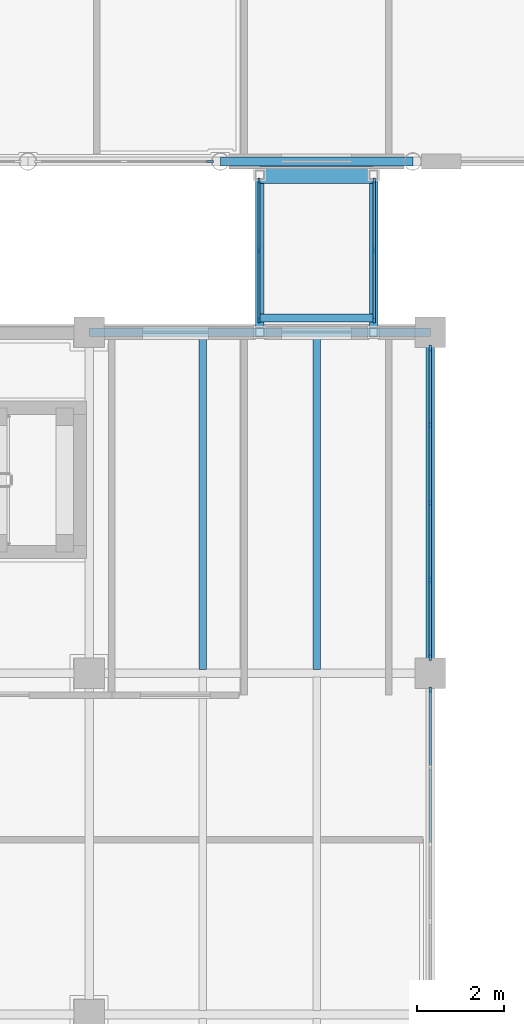
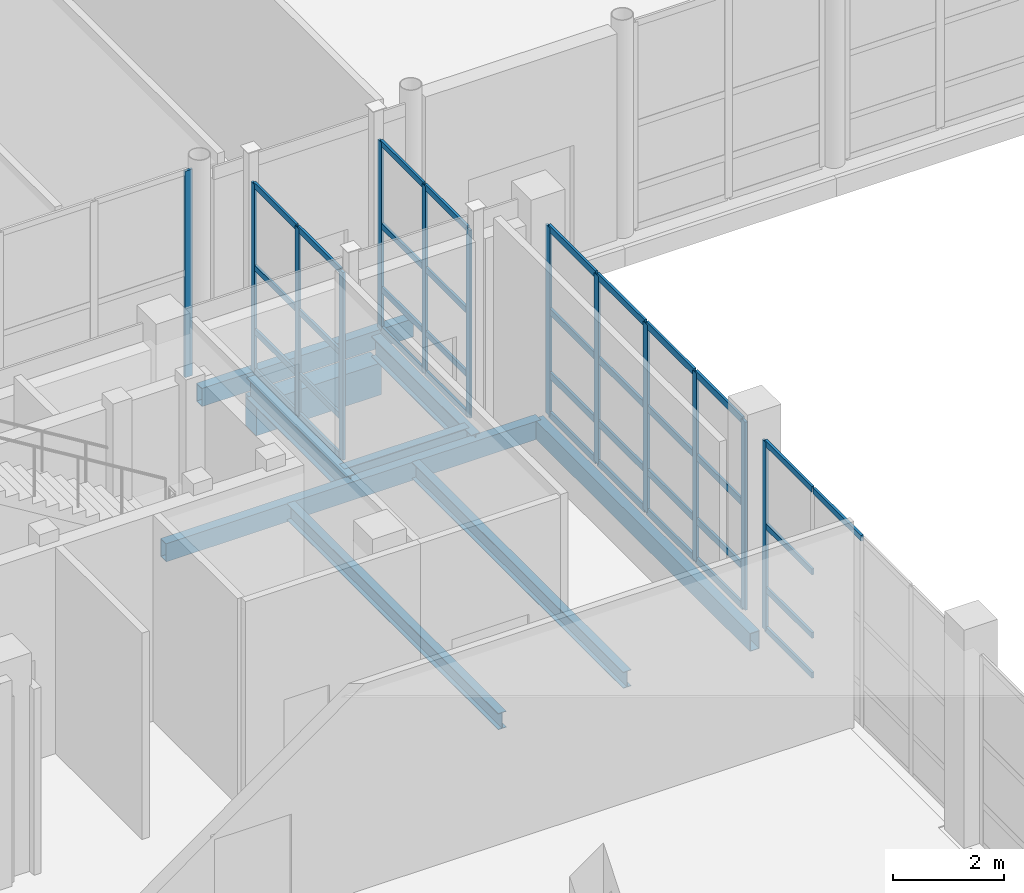
# One storey, part 39 of 131: 50 members, 9 beams, 5 elements without a shape of their own.
"""IFC4 building model written with IfcOpenShell, lengths in metres."""

from ifc_helpers import new_model, si_unit, direction, frame, origin, origin_2d, place, context, subcontext, project, spatial, rectangle, hollow_rectangle, i_section, extrude, material, layer, layer_set, material_profile, profile_set, type_object, element, aggregate, save


model = new_model("IFC4")

# Units and contexts
model_context = context("Model", 3, precision=1e-05, world=origin(), true_north=direction((0.0, 1.0)))
body_context = subcontext(model_context, "Body", "Model", "MODEL_VIEW")
ifc_project = project(units=[si_unit("LENGTHUNIT", "METRE"), si_unit("AREAUNIT", "SQUARE_METRE"), si_unit("VOLUMEUNIT", "CUBIC_METRE"), si_unit("PLANEANGLEUNIT", "RADIAN"), si_unit("MASSUNIT", "GRAM", prefix="KILO")], contexts=[model_context])

# Site, building, storey
site_placement = place(None, origin())
site = spatial("IfcSite", under=ifc_project, at=site_placement, CompositionType="ELEMENT")
building_placement = place(site_placement, origin())
building = spatial("IfcBuilding", under=site, at=building_placement, Name="Celorna Specialist Clinic", CompositionType="ELEMENT")
storey_placement = place(building_placement, origin())
storey = spatial("IfcBuildingStorey", under=building, at=storey_placement, Name="L00", CompositionType="ELEMENT", Elevation=0.0)

# Beams
ifc_material_1 = material(Name="Steel S355", Category="steel")
ifc_material_profile_1 = material_profile(ifc_material_1, i_section(OverallWidth=0.18994140625, OverallDepth=0.449951171875, WebThickness=0.009521484375, FlangeThickness=0.0146484375, at=origin_2d()), Name="IPE 450")
ifc_profile_set_1 = profile_set([ifc_material_profile_1], Name="Steel S355")
beam_type_1 = type_object("IfcBeamType", Name="BM-09", PredefinedType="BEAM", material=ifc_profile_set_1)
for number, where, z_axis, x_axis, name in (
    (1, (81.89990234375, 42.89990234375, -0.445068359375), (0.0, 1.0, 0.0), (-1.0, 0.0, 0.0), "Bridge BR-03 edge girder BM-09 #84"),
    (2, (84.5, 42.89990234375, -0.445068359375), (0.0, 1.0, 0.0), (-1.0, 0.0, 0.0), "Bridge BR-03 edge girder BM-09 #85"),
):
    element("IfcBeam", number, at=place(storey_placement, frame(where, z_axis=z_axis, x_axis=x_axis)), inside=storey, type_object=beam_type_1, Name=name, PredefinedType="BEAM", context=body_context, shape_type="SweptSolid", body=[
        extrude(i_section(OverallWidth=0.18994140625, OverallDepth=0.449951171875, WebThickness=0.009521484375, FlangeThickness=0.0146484375, at=origin_2d()), origin(), (0.0, 0.0, 1.0), 3.60009765625),
    ])
ifc_material_profile_2 = material_profile(ifc_material_1, i_section(OverallWidth=0.179931640625, OverallDepth=0.39990234375, WebThickness=0.008544921875, FlangeThickness=0.013427734375, at=origin_2d()), Name="IPE 400")
ifc_profile_set_2 = profile_set([ifc_material_profile_2], Name="Steel S355")
beam_type_2 = type_object("IfcBeamType", Name="BM-10", PredefinedType="BEAM", material=ifc_profile_set_2)
beam_1_placement = place(storey_placement, frame((81.89990234375, 43.219970703125, -0.419921875), z_axis=(1.0, 0.0, 0.0), x_axis=(0.0, 1.0, 0.0)))
element("IfcBeam", 3, at=beam_1_placement, inside=storey, type_object=beam_type_2, Name="Bridge BR-03 transverse beam BM-10 #87", PredefinedType="BEAM", context=body_context, shape_type="SweptSolid", body=[
    extrude(i_section(OverallWidth=0.179931640625, OverallDepth=0.39990234375, WebThickness=0.008544921875, FlangeThickness=0.013427734375, at=origin_2d()), origin(), (0.0, 0.0, 1.0), 2.60009765625),
])
ifc_material_profile_3 = material_profile(ifc_material_1, i_section(OverallWidth=0.169921875, OverallDepth=0.360107421875, WebThickness=0.008056640625, FlangeThickness=0.0126953125, at=origin_2d()), Name="IPE 360")
ifc_profile_set_3 = profile_set([ifc_material_profile_3], Name="Steel S355")
beam_type_3 = type_object("IfcBeamType", Name="BM-11", PredefinedType="JOIST", material=ifc_profile_set_3)
for number, where, z_axis, x_axis, name in (
    (4, (80.60009765625, 35.18798828125, -0.47998046875), (0.0, 1.0, 0.0), (-1.0, 0.0, 0.0), "Secondary floor joist BM-11 #2062"),
    (5, (83.199951171875, 35.18798828125, -0.47998046875), (0.0, 1.0, 0.0), (-1.0, 0.0, 0.0), "Secondary floor joist BM-11 #2063"),
):
    element("IfcBeam", number, at=place(storey_placement, frame(where, z_axis=z_axis, x_axis=x_axis)), inside=storey, type_object=beam_type_3, Name=name, PredefinedType="JOIST", context=body_context, shape_type="SweptSolid", body=[
        extrude(i_section(OverallWidth=0.169921875, OverallDepth=0.360107421875, WebThickness=0.008056640625, FlangeThickness=0.0126953125, at=origin_2d()), origin(), (0.0, 0.0, 1.0), 7.6240234375),
    ])
ifc_material_profile_4 = material_profile(ifc_material_1, hollow_rectangle(XDim=0.199951171875, YDim=0.39990234375, WallThickness=0.011962890625, at=origin_2d()), Name="RHS 200x400x12")
ifc_profile_set_4 = profile_set([ifc_material_profile_4], Name="Steel S355")
beam_type_4 = type_object("IfcBeamType", Name="BM-15", PredefinedType="SPANDREL", material=ifc_profile_set_4)
beam_2_placement = place(storey_placement, frame((81.0, 46.800048828125, -0.5), z_axis=(1.0, 0.0, 0.0), x_axis=(0.0, 1.0, 0.0)))
element("IfcBeam", 6, at=beam_2_placement, inside=storey, type_object=beam_type_4, Name="Spandrel beam BM-15 #134", PredefinedType="SPANDREL", context=body_context, shape_type="SweptSolid", body=[
    extrude(hollow_rectangle(XDim=0.199951171875, YDim=0.39990234375, WallThickness=0.011962890625, at=origin_2d()), origin(), (0.0, 0.0, 1.0), 4.39990234375),
])
beam_3_placement = place(storey_placement, frame((78.0, 42.89990234375, -0.5), z_axis=(1.0, 0.0, 0.0), x_axis=(0.0, 1.0, 0.0)))
element("IfcBeam", 7, at=beam_3_placement, inside=storey, type_object=beam_type_4, Name="Spandrel beam BM-15 #2029", PredefinedType="SPANDREL", context=body_context, shape_type="SweptSolid", body=[
    extrude(hollow_rectangle(XDim=0.199951171875, YDim=0.39990234375, WallThickness=0.011962890625, at=origin_2d()), origin(), (0.0, 0.0, 1.0), 7.800048828125),
])
beam_4_placement = place(storey_placement, frame((85.800048828125, 35.10009765625, -0.5), z_axis=(0.0, 1.0, 0.0), x_axis=(-1.0, 0.0, 0.0)))
element("IfcBeam", 8, at=beam_4_placement, inside=storey, type_object=beam_type_4, Name="Spandrel beam BM-15 #2043", PredefinedType="SPANDREL", context=body_context, shape_type="SweptSolid", body=[
    extrude(hollow_rectangle(XDim=0.199951171875, YDim=0.39990234375, WallThickness=0.011962890625, at=origin_2d()), origin(), (0.0, 0.0, 1.0), 7.7998046875),
])
ifc_material_2 = material(Name="Concrete C35/45", Category="concrete")
ifc_material_profile_5 = material_profile(ifc_material_2, rectangle(XDim=0.39990234375, YDim=0.699951171875, at=origin_2d()), Name="RC 400x700")
ifc_profile_set_5 = profile_set([ifc_material_profile_5], Name="Concrete C35/45")
beam_type_5 = type_object("IfcBeamType", Name="BM-19", PredefinedType="BEAM", material=ifc_profile_set_5)
beam_5_placement = place(storey_placement, frame((81.89990234375, 46.5, -1.06494140625), z_axis=(1.0, 0.0, 0.0), x_axis=(0.0, 1.0, 0.0)))
element("IfcBeam", 9, at=beam_5_placement, inside=storey, type_object=beam_type_5, Name="Seismic joint bridge corbel beam BR-03 BM-19 #86", PredefinedType="BEAM", context=body_context, shape_type="SweptSolid", body=[
    extrude(rectangle(XDim=0.39990234375, YDim=0.699951171875, at=origin_2d()), origin(), (0.0, 0.0, 1.0), 2.60009765625),
])

# Curtain wall, member
ifc_material_3 = material(Name="Thermally broken aluminium and solar-control glass curtain wall", Category="aluminium")
ifc_layer_1 = layer(ifc_material_3, 0.159912109375, Name="Thermally broken aluminium and solar-control glass curtain wall")
ifc_layer_set_1 = layer_set([ifc_layer_1], Name="Thermally broken aluminium and solar-control glass curtain wall")
curtain_wall_type_1 = type_object("IfcCurtainWallType", Name="CW-03", PredefinedType="NOTDEFINED", material=ifc_layer_set_1)
curtain_wall_1_placement = place(storey_placement, origin())
curtain_wall_1 = element("IfcCurtainWall", 10, at=curtain_wall_1_placement, inside=storey, type_object=curtain_wall_type_1, Name="Curtain wall CW-03 #6", PredefinedType="NOTDEFINED")
ifc_material_4 = material(Name="Anodized aluminium mullion", Category="aluminium")
ifc_material_profile_6 = material_profile(ifc_material_4, rectangle(XDim=0.050048828125, YDim=0.159912109375, at=origin_2d()), Name="ALU MULLION 50x160")
ifc_profile_set_6 = profile_set([ifc_material_profile_6], Name="Anodized aluminium mullion")
member_type_1 = type_object("IfcMemberType", Name="ML-01", PredefinedType="MULLION", material=ifc_profile_set_6)
member_1_placement = place(storey_placement, frame((80.767822265625, 46.800048828125, 0.0), z_axis=(0.0, 0.0, 1.0), x_axis=(0.0, -1.0, 0.0)))
member_1 = element("IfcMember", 11, at=member_1_placement, type_object=member_type_1, Name="CW-03 mullion 1", PredefinedType="MULLION", context=body_context, shape_type="SweptSolid", body=[
    extrude(rectangle(XDim=0.050048828125, YDim=0.159912109375, at=origin_2d()), origin(), (0.0, 0.0, 1.0), 4.5400390625),
])
aggregate(curtain_wall_1, [member_1])

# Curtain wall, members
ifc_layer_2 = layer(ifc_material_3, 0.159912109375, Name="Thermally broken aluminium and solar-control glass curtain wall")
ifc_layer_set_2 = layer_set([ifc_layer_2], Name="Thermally broken aluminium and solar-control glass curtain wall")
curtain_wall_type_2 = type_object("IfcCurtainWallType", Name="CW-104", PredefinedType="NOTDEFINED", material=ifc_layer_set_2)
curtain_wall_2_placement = place(storey_placement, origin())
curtain_wall_2 = element("IfcCurtainWall", 12, at=curtain_wall_2_placement, inside=storey, type_object=curtain_wall_type_2, Name="Curtain wall CW-104 #185", PredefinedType="NOTDEFINED")
member_2_placement = place(storey_placement, frame((85.800048828125, 42.52099609375, 0.0), z_axis=(0.0, 0.0, 1.0), x_axis=(1.0, 0.0, 0.0)))
member_2 = element("IfcMember", 13, at=member_2_placement, type_object=member_type_1, Name="CW-104 mullion 1", PredefinedType="MULLION", context=body_context, shape_type="SweptSolid", body=[
    extrude(rectangle(XDim=0.050048828125, YDim=0.159912109375, at=origin_2d()), origin(), (0.0, 0.0, 1.0), 4.139892578125),
])
member_3_placement = place(storey_placement, frame((85.800048828125, 40.77294921875, 0.0), z_axis=(0.0, 0.0, 1.0), x_axis=(1.0, 0.0, 0.0)))
member_3 = element("IfcMember", 14, at=member_3_placement, type_object=member_type_1, Name="CW-104 mullion 2", PredefinedType="MULLION", context=body_context, shape_type="SweptSolid", body=[
    extrude(rectangle(XDim=0.050048828125, YDim=0.159912109375, at=origin_2d()), origin(), (0.0, 0.0, 1.0), 4.139892578125),
])
member_4_placement = place(storey_placement, frame((85.800048828125, 39.0, 0.0), z_axis=(0.0, 0.0, 1.0), x_axis=(1.0, 0.0, 0.0)))
member_4 = element("IfcMember", 15, at=member_4_placement, type_object=member_type_1, Name="CW-104 mullion 3", PredefinedType="MULLION", context=body_context, shape_type="SweptSolid", body=[
    extrude(rectangle(XDim=0.050048828125, YDim=0.159912109375, at=origin_2d()), origin(), (0.0, 0.0, 1.0), 4.139892578125),
])
member_5_placement = place(storey_placement, frame((85.800048828125, 37.22705078125, 0.0), z_axis=(0.0, 0.0, 1.0), x_axis=(1.0, 0.0, 0.0)))
member_5 = element("IfcMember", 16, at=member_5_placement, type_object=member_type_1, Name="CW-104 mullion 4", PredefinedType="MULLION", context=body_context, shape_type="SweptSolid", body=[
    extrude(rectangle(XDim=0.050048828125, YDim=0.159912109375, at=origin_2d()), origin(), (0.0, 0.0, 1.0), 4.139892578125),
])
member_6_placement = place(storey_placement, frame((85.800048828125, 35.47900390625, 0.0), z_axis=(0.0, 0.0, 1.0), x_axis=(1.0, 0.0, 0.0)))
member_6 = element("IfcMember", 17, at=member_6_placement, type_object=member_type_1, Name="CW-104 mullion 5", PredefinedType="MULLION", context=body_context, shape_type="SweptSolid", body=[
    extrude(rectangle(XDim=0.050048828125, YDim=0.159912109375, at=origin_2d()), origin(), (0.0, 0.0, 1.0), 4.139892578125),
])

# Curtain wall, member
ifc_layer_3 = layer(ifc_material_3, 0.159912109375, Name="Thermally broken aluminium and solar-control glass curtain wall")
ifc_layer_set_3 = layer_set([ifc_layer_3], Name="Thermally broken aluminium and solar-control glass curtain wall")
curtain_wall_type_3 = type_object("IfcCurtainWallType", Name="CW-103", PredefinedType="NOTDEFINED", material=ifc_layer_set_3)
curtain_wall_3_placement = place(storey_placement, origin())
curtain_wall_3 = element("IfcCurtainWall", 18, at=curtain_wall_3_placement, inside=storey, type_object=curtain_wall_type_3, Name="Curtain wall CW-103 #184", PredefinedType="NOTDEFINED")
ifc_material_profile_7 = material_profile(ifc_material_4, rectangle(XDim=0.050048828125, YDim=0.139892578125, at=origin_2d()), Name="ALU MULLION 50x140")
ifc_profile_set_7 = profile_set([ifc_material_profile_7], Name="Anodized aluminium mullion")
member_type_2 = type_object("IfcMemberType", Name="ML-03", PredefinedType="MULLION", material=ifc_profile_set_7)
member_7_placement = place(storey_placement, frame((85.800048828125, 34.720947265625, 0.0), z_axis=(0.0, 0.0, 1.0), x_axis=(1.0, 0.0, 0.0)))
member_7 = element("IfcMember", 19, at=member_7_placement, type_object=member_type_2, Name="CW-103 mullion 1", PredefinedType="MULLION", context=body_context, shape_type="SweptSolid", body=[
    extrude(rectangle(XDim=0.050048828125, YDim=0.139892578125, at=origin_2d()), origin(), (0.0, 0.0, 1.0), 4.139892578125),
])

# Curtain wall, members
ifc_layer_4 = layer(ifc_material_3, 0.159912109375, Name="Thermally broken aluminium and solar-control glass curtain wall")
ifc_layer_set_4 = layer_set([ifc_layer_4], Name="Thermally broken aluminium and solar-control glass curtain wall")
curtain_wall_type_4 = type_object("IfcCurtainWallType", Name="CW-112", PredefinedType="NOTDEFINED", material=ifc_layer_set_4)
curtain_wall_4_placement = place(storey_placement, origin())
curtain_wall_4 = element("IfcCurtainWall", 20, at=curtain_wall_4_placement, inside=storey, type_object=curtain_wall_type_4, Name="Curtain wall CW-112 #204", PredefinedType="NOTDEFINED")
member_8_placement = place(storey_placement, frame((81.8798828125, 43.175048828125, 0.0), z_axis=(0.0, 0.0, 1.0), x_axis=(-1.0, 0.0, 0.0)))
member_8 = element("IfcMember", 21, at=member_8_placement, type_object=member_type_2, Name="CW-112 mullion 1", PredefinedType="MULLION", context=body_context, shape_type="SweptSolid", body=[
    extrude(rectangle(XDim=0.050048828125, YDim=0.139892578125, at=origin_2d()), origin(), (0.0, 0.0, 1.0), 4.1298828125),
])
member_9_placement = place(storey_placement, frame((81.8798828125, 44.764892578125, 0.0), z_axis=(0.0, 0.0, 1.0), x_axis=(-1.0, 0.0, 0.0)))
member_9 = element("IfcMember", 22, at=member_9_placement, type_object=member_type_2, Name="CW-112 mullion 2", PredefinedType="MULLION", context=body_context, shape_type="SweptSolid", body=[
    extrude(rectangle(XDim=0.050048828125, YDim=0.139892578125, at=origin_2d()), origin(), (0.0, 0.0, 1.0), 4.1298828125),
])
member_10_placement = place(storey_placement, frame((81.8798828125, 46.35498046875, 0.0), z_axis=(0.0, 0.0, 1.0), x_axis=(-1.0, 0.0, 0.0)))
member_10 = element("IfcMember", 23, at=member_10_placement, type_object=member_type_2, Name="CW-112 mullion 3", PredefinedType="MULLION", context=body_context, shape_type="SweptSolid", body=[
    extrude(rectangle(XDim=0.050048828125, YDim=0.139892578125, at=origin_2d()), origin(), (0.0, 0.0, 1.0), 4.1298828125),
])

curtain_wall_5_placement = place(storey_placement, origin())
curtain_wall_5 = element("IfcCurtainWall", 24, at=curtain_wall_5_placement, inside=storey, type_object=curtain_wall_type_4, Name="Curtain wall CW-112 #205", PredefinedType="NOTDEFINED")
member_11_placement = place(storey_placement, frame((84.52001953125, 46.35498046875, 0.0), z_axis=(0.0, 0.0, 1.0), x_axis=(1.0, 0.0, 0.0)))
member_11 = element("IfcMember", 25, at=member_11_placement, type_object=member_type_2, Name="CW-112 mullion 1", PredefinedType="MULLION", context=body_context, shape_type="SweptSolid", body=[
    extrude(rectangle(XDim=0.050048828125, YDim=0.139892578125, at=origin_2d()), origin(), (0.0, 0.0, 1.0), 4.1298828125),
])
member_12_placement = place(storey_placement, frame((84.52001953125, 44.764892578125, 0.0), z_axis=(0.0, 0.0, 1.0), x_axis=(1.0, 0.0, 0.0)))
member_12 = element("IfcMember", 26, at=member_12_placement, type_object=member_type_2, Name="CW-112 mullion 2", PredefinedType="MULLION", context=body_context, shape_type="SweptSolid", body=[
    extrude(rectangle(XDim=0.050048828125, YDim=0.139892578125, at=origin_2d()), origin(), (0.0, 0.0, 1.0), 4.1298828125),
])
member_13_placement = place(storey_placement, frame((84.52001953125, 43.175048828125, 0.0), z_axis=(0.0, 0.0, 1.0), x_axis=(1.0, 0.0, 0.0)))
member_13 = element("IfcMember", 27, at=member_13_placement, type_object=member_type_2, Name="CW-112 mullion 3", PredefinedType="MULLION", context=body_context, shape_type="SweptSolid", body=[
    extrude(rectangle(XDim=0.050048828125, YDim=0.139892578125, at=origin_2d()), origin(), (0.0, 0.0, 1.0), 4.1298828125),
])

# Member
ifc_material_5 = material(Name="Anodized aluminium transom", Category="aluminium")
ifc_material_profile_8 = material_profile(ifc_material_5, rectangle(XDim=0.050048828125, YDim=0.1298828125, at=origin_2d()), Name="ALU TRANSOM 50x130")
ifc_profile_set_8 = profile_set([ifc_material_profile_8], Name="Anodized aluminium transom")
member_type_3 = type_object("IfcMemberType", Name="TR-01", PredefinedType="USERDEFINED", material=ifc_profile_set_8)
member_14_placement = place(storey_placement, frame((85.800048828125, 34.696044921875, 0.02490234375), z_axis=(0.0, -1.0, 0.0), x_axis=(1.0, 0.0, 0.0)))
member_14 = element("IfcMember", 28, at=member_14_placement, type_object=member_type_3, Name="CW-103 transom 1.1", ObjectType="TRANSOM", PredefinedType="USERDEFINED", context=body_context, shape_type="SweptSolid", body=[
    extrude(rectangle(XDim=0.050048828125, YDim=0.1298828125, at=origin_2d()), origin(), (0.0, 0.0, 1.0), 1.697998046875),
])

member_15_placement = place(storey_placement, frame((85.800048828125, 34.696044921875, 0.89990234375), z_axis=(0.0, -1.0, 0.0), x_axis=(1.0, 0.0, 0.0)))
member_15 = element("IfcMember", 29, at=member_15_placement, type_object=member_type_3, Name="CW-103 transom 1.2", ObjectType="TRANSOM", PredefinedType="USERDEFINED", context=body_context, shape_type="SweptSolid", body=[
    extrude(rectangle(XDim=0.050048828125, YDim=0.1298828125, at=origin_2d()), origin(), (0.0, 0.0, 1.0), 1.697998046875),
])

member_16_placement = place(storey_placement, frame((85.800048828125, 34.696044921875, 2.300048828125), z_axis=(0.0, -1.0, 0.0), x_axis=(1.0, 0.0, 0.0)))
member_16 = element("IfcMember", 30, at=member_16_placement, type_object=member_type_3, Name="CW-103 transom 1.3", ObjectType="TRANSOM", PredefinedType="USERDEFINED", context=body_context, shape_type="SweptSolid", body=[
    extrude(rectangle(XDim=0.050048828125, YDim=0.1298828125, at=origin_2d()), origin(), (0.0, 0.0, 1.0), 1.697998046875),
])

member_17_placement = place(storey_placement, frame((85.800048828125, 34.696044921875, 4.114990234375), z_axis=(0.0, -1.0, 0.0), x_axis=(1.0, 0.0, 0.0)))
member_17 = element("IfcMember", 31, at=member_17_placement, type_object=member_type_3, Name="CW-103 transom 1.4", ObjectType="TRANSOM", PredefinedType="USERDEFINED", context=body_context, shape_type="SweptSolid", body=[
    extrude(rectangle(XDim=0.050048828125, YDim=0.1298828125, at=origin_2d()), origin(), (0.0, 0.0, 1.0), 1.697998046875),
])

member_18_placement = place(storey_placement, frame((85.800048828125, 32.947998046875, 4.114990234375), z_axis=(0.0, -1.0, 0.0), x_axis=(1.0, 0.0, 0.0)))
member_18 = element("IfcMember", 32, at=member_18_placement, type_object=member_type_3, Name="CW-103 transom 2.4", ObjectType="TRANSOM", PredefinedType="USERDEFINED", context=body_context, shape_type="SweptSolid", body=[
    extrude(rectangle(XDim=0.050048828125, YDim=0.1298828125, at=origin_2d()), origin(), (0.0, 0.0, 1.0), 1.722900390625),
])

aggregate(curtain_wall_3, [member_7, member_14, member_15, member_16, member_17, member_18])

member_19_placement = place(storey_placement, frame((81.8798828125, 43.199951171875, 0.02490234375), z_axis=(0.0, 1.0, 0.0), x_axis=(-1.0, 0.0, 0.0)))
member_19 = element("IfcMember", 33, at=member_19_placement, type_object=member_type_3, Name="CW-112 transom 1.1", ObjectType="TRANSOM", PredefinedType="USERDEFINED", context=body_context, shape_type="SweptSolid", body=[
    extrude(rectangle(XDim=0.050048828125, YDim=0.1298828125, at=origin_2d()), origin(), (0.0, 0.0, 1.0), 1.5400390625),
])

member_20_placement = place(storey_placement, frame((81.8798828125, 43.199951171875, 0.89990234375), z_axis=(0.0, 1.0, 0.0), x_axis=(-1.0, 0.0, 0.0)))
member_20 = element("IfcMember", 34, at=member_20_placement, type_object=member_type_3, Name="CW-112 transom 1.2", ObjectType="TRANSOM", PredefinedType="USERDEFINED", context=body_context, shape_type="SweptSolid", body=[
    extrude(rectangle(XDim=0.050048828125, YDim=0.1298828125, at=origin_2d()), origin(), (0.0, 0.0, 1.0), 1.5400390625),
])

member_21_placement = place(storey_placement, frame((81.8798828125, 43.199951171875, 2.300048828125), z_axis=(0.0, 1.0, 0.0), x_axis=(-1.0, 0.0, 0.0)))
member_21 = element("IfcMember", 35, at=member_21_placement, type_object=member_type_3, Name="CW-112 transom 1.3", ObjectType="TRANSOM", PredefinedType="USERDEFINED", context=body_context, shape_type="SweptSolid", body=[
    extrude(rectangle(XDim=0.050048828125, YDim=0.1298828125, at=origin_2d()), origin(), (0.0, 0.0, 1.0), 1.5400390625),
])

member_22_placement = place(storey_placement, frame((81.8798828125, 43.199951171875, 4.10498046875), z_axis=(0.0, 1.0, 0.0), x_axis=(-1.0, 0.0, 0.0)))
member_22 = element("IfcMember", 36, at=member_22_placement, type_object=member_type_3, Name="CW-112 transom 1.4", ObjectType="TRANSOM", PredefinedType="USERDEFINED", context=body_context, shape_type="SweptSolid", body=[
    extrude(rectangle(XDim=0.050048828125, YDim=0.1298828125, at=origin_2d()), origin(), (0.0, 0.0, 1.0), 1.5400390625),
])

member_23_placement = place(storey_placement, frame((81.8798828125, 44.7900390625, 0.02490234375), z_axis=(0.0, 1.0, 0.0), x_axis=(-1.0, 0.0, 0.0)))
member_23 = element("IfcMember", 37, at=member_23_placement, type_object=member_type_3, Name="CW-112 transom 2.1", ObjectType="TRANSOM", PredefinedType="USERDEFINED", context=body_context, shape_type="SweptSolid", body=[
    extrude(rectangle(XDim=0.050048828125, YDim=0.1298828125, at=origin_2d()), origin(), (0.0, 0.0, 1.0), 1.5400390625),
])

member_24_placement = place(storey_placement, frame((81.8798828125, 44.7900390625, 0.89990234375), z_axis=(0.0, 1.0, 0.0), x_axis=(-1.0, 0.0, 0.0)))
member_24 = element("IfcMember", 38, at=member_24_placement, type_object=member_type_3, Name="CW-112 transom 2.2", ObjectType="TRANSOM", PredefinedType="USERDEFINED", context=body_context, shape_type="SweptSolid", body=[
    extrude(rectangle(XDim=0.050048828125, YDim=0.1298828125, at=origin_2d()), origin(), (0.0, 0.0, 1.0), 1.5400390625),
])

member_25_placement = place(storey_placement, frame((81.8798828125, 44.7900390625, 2.300048828125), z_axis=(0.0, 1.0, 0.0), x_axis=(-1.0, 0.0, 0.0)))
member_25 = element("IfcMember", 39, at=member_25_placement, type_object=member_type_3, Name="CW-112 transom 2.3", ObjectType="TRANSOM", PredefinedType="USERDEFINED", context=body_context, shape_type="SweptSolid", body=[
    extrude(rectangle(XDim=0.050048828125, YDim=0.1298828125, at=origin_2d()), origin(), (0.0, 0.0, 1.0), 1.5400390625),
])

member_26_placement = place(storey_placement, frame((81.8798828125, 44.7900390625, 4.10498046875), z_axis=(0.0, 1.0, 0.0), x_axis=(-1.0, 0.0, 0.0)))
member_26 = element("IfcMember", 40, at=member_26_placement, type_object=member_type_3, Name="CW-112 transom 2.4", ObjectType="TRANSOM", PredefinedType="USERDEFINED", context=body_context, shape_type="SweptSolid", body=[
    extrude(rectangle(XDim=0.050048828125, YDim=0.1298828125, at=origin_2d()), origin(), (0.0, 0.0, 1.0), 1.5400390625),
])

aggregate(curtain_wall_4, [member_8, member_9, member_10, member_19, member_20, member_21, member_22, member_23, member_24, member_25, member_26])

member_27_placement = place(storey_placement, frame((84.52001953125, 46.330078125, 0.02490234375), z_axis=(0.0, -1.0, 0.0), x_axis=(1.0, 0.0, 0.0)))
member_27 = element("IfcMember", 41, at=member_27_placement, type_object=member_type_3, Name="CW-112 transom 1.1", ObjectType="TRANSOM", PredefinedType="USERDEFINED", context=body_context, shape_type="SweptSolid", body=[
    extrude(rectangle(XDim=0.050048828125, YDim=0.1298828125, at=origin_2d()), origin(), (0.0, 0.0, 1.0), 1.5400390625),
])

member_28_placement = place(storey_placement, frame((84.52001953125, 46.330078125, 0.89990234375), z_axis=(0.0, -1.0, 0.0), x_axis=(1.0, 0.0, 0.0)))
member_28 = element("IfcMember", 42, at=member_28_placement, type_object=member_type_3, Name="CW-112 transom 1.2", ObjectType="TRANSOM", PredefinedType="USERDEFINED", context=body_context, shape_type="SweptSolid", body=[
    extrude(rectangle(XDim=0.050048828125, YDim=0.1298828125, at=origin_2d()), origin(), (0.0, 0.0, 1.0), 1.5400390625),
])

member_29_placement = place(storey_placement, frame((84.52001953125, 46.330078125, 2.300048828125), z_axis=(0.0, -1.0, 0.0), x_axis=(1.0, 0.0, 0.0)))
member_29 = element("IfcMember", 43, at=member_29_placement, type_object=member_type_3, Name="CW-112 transom 1.3", ObjectType="TRANSOM", PredefinedType="USERDEFINED", context=body_context, shape_type="SweptSolid", body=[
    extrude(rectangle(XDim=0.050048828125, YDim=0.1298828125, at=origin_2d()), origin(), (0.0, 0.0, 1.0), 1.5400390625),
])

member_30_placement = place(storey_placement, frame((84.52001953125, 46.330078125, 4.10498046875), z_axis=(0.0, -1.0, 0.0), x_axis=(1.0, 0.0, 0.0)))
member_30 = element("IfcMember", 44, at=member_30_placement, type_object=member_type_3, Name="CW-112 transom 1.4", ObjectType="TRANSOM", PredefinedType="USERDEFINED", context=body_context, shape_type="SweptSolid", body=[
    extrude(rectangle(XDim=0.050048828125, YDim=0.1298828125, at=origin_2d()), origin(), (0.0, 0.0, 1.0), 1.5400390625),
])

member_31_placement = place(storey_placement, frame((84.52001953125, 44.739990234375, 0.02490234375), z_axis=(0.0, -1.0, 0.0), x_axis=(1.0, 0.0, 0.0)))
member_31 = element("IfcMember", 45, at=member_31_placement, type_object=member_type_3, Name="CW-112 transom 2.1", ObjectType="TRANSOM", PredefinedType="USERDEFINED", context=body_context, shape_type="SweptSolid", body=[
    extrude(rectangle(XDim=0.050048828125, YDim=0.1298828125, at=origin_2d()), origin(), (0.0, 0.0, 1.0), 1.5400390625),
])

member_32_placement = place(storey_placement, frame((84.52001953125, 44.739990234375, 0.89990234375), z_axis=(0.0, -1.0, 0.0), x_axis=(1.0, 0.0, 0.0)))
member_32 = element("IfcMember", 46, at=member_32_placement, type_object=member_type_3, Name="CW-112 transom 2.2", ObjectType="TRANSOM", PredefinedType="USERDEFINED", context=body_context, shape_type="SweptSolid", body=[
    extrude(rectangle(XDim=0.050048828125, YDim=0.1298828125, at=origin_2d()), origin(), (0.0, 0.0, 1.0), 1.5400390625),
])

member_33_placement = place(storey_placement, frame((84.52001953125, 44.739990234375, 2.300048828125), z_axis=(0.0, -1.0, 0.0), x_axis=(1.0, 0.0, 0.0)))
member_33 = element("IfcMember", 47, at=member_33_placement, type_object=member_type_3, Name="CW-112 transom 2.3", ObjectType="TRANSOM", PredefinedType="USERDEFINED", context=body_context, shape_type="SweptSolid", body=[
    extrude(rectangle(XDim=0.050048828125, YDim=0.1298828125, at=origin_2d()), origin(), (0.0, 0.0, 1.0), 1.5400390625),
])

member_34_placement = place(storey_placement, frame((84.52001953125, 44.739990234375, 4.10498046875), z_axis=(0.0, -1.0, 0.0), x_axis=(1.0, 0.0, 0.0)))
member_34 = element("IfcMember", 48, at=member_34_placement, type_object=member_type_3, Name="CW-112 transom 2.4", ObjectType="TRANSOM", PredefinedType="USERDEFINED", context=body_context, shape_type="SweptSolid", body=[
    extrude(rectangle(XDim=0.050048828125, YDim=0.1298828125, at=origin_2d()), origin(), (0.0, 0.0, 1.0), 1.5400390625),
])

aggregate(curtain_wall_5, [member_11, member_12, member_13, member_27, member_28, member_29, member_30, member_31, member_32, member_33, member_34])

ifc_material_profile_9 = material_profile(ifc_material_5, rectangle(XDim=0.050048828125, YDim=0.14990234375, at=origin_2d()), Name="ALU TRANSOM 50x150")
ifc_profile_set_9 = profile_set([ifc_material_profile_9], Name="Anodized aluminium transom")
member_type_4 = type_object("IfcMemberType", Name="TR-02", PredefinedType="USERDEFINED", material=ifc_profile_set_9)
member_35_placement = place(storey_placement, frame((85.800048828125, 42.49609375, 0.02490234375), z_axis=(0.0, -1.0, 0.0), x_axis=(1.0, 0.0, 0.0)))
member_35 = element("IfcMember", 49, at=member_35_placement, type_object=member_type_4, Name="CW-104 transom 1.1", ObjectType="TRANSOM", PredefinedType="USERDEFINED", context=body_context, shape_type="SweptSolid", body=[
    extrude(rectangle(XDim=0.050048828125, YDim=0.14990234375, at=origin_2d()), origin(), (0.0, 0.0, 1.0), 1.697998046875),
])

member_36_placement = place(storey_placement, frame((85.800048828125, 42.49609375, 0.89990234375), z_axis=(0.0, -1.0, 0.0), x_axis=(1.0, 0.0, 0.0)))
member_36 = element("IfcMember", 50, at=member_36_placement, type_object=member_type_4, Name="CW-104 transom 1.2", ObjectType="TRANSOM", PredefinedType="USERDEFINED", context=body_context, shape_type="SweptSolid", body=[
    extrude(rectangle(XDim=0.050048828125, YDim=0.14990234375, at=origin_2d()), origin(), (0.0, 0.0, 1.0), 1.697998046875),
])

member_37_placement = place(storey_placement, frame((85.800048828125, 42.49609375, 2.300048828125), z_axis=(0.0, -1.0, 0.0), x_axis=(1.0, 0.0, 0.0)))
member_37 = element("IfcMember", 51, at=member_37_placement, type_object=member_type_4, Name="CW-104 transom 1.3", ObjectType="TRANSOM", PredefinedType="USERDEFINED", context=body_context, shape_type="SweptSolid", body=[
    extrude(rectangle(XDim=0.050048828125, YDim=0.14990234375, at=origin_2d()), origin(), (0.0, 0.0, 1.0), 1.697998046875),
])

member_38_placement = place(storey_placement, frame((85.800048828125, 42.49609375, 4.114990234375), z_axis=(0.0, -1.0, 0.0), x_axis=(1.0, 0.0, 0.0)))
member_38 = element("IfcMember", 52, at=member_38_placement, type_object=member_type_4, Name="CW-104 transom 1.4", ObjectType="TRANSOM", PredefinedType="USERDEFINED", context=body_context, shape_type="SweptSolid", body=[
    extrude(rectangle(XDim=0.050048828125, YDim=0.14990234375, at=origin_2d()), origin(), (0.0, 0.0, 1.0), 1.697998046875),
])

member_39_placement = place(storey_placement, frame((85.800048828125, 40.748046875, 0.02490234375), z_axis=(0.0, -1.0, 0.0), x_axis=(1.0, 0.0, 0.0)))
member_39 = element("IfcMember", 53, at=member_39_placement, type_object=member_type_4, Name="CW-104 transom 2.1", ObjectType="TRANSOM", PredefinedType="USERDEFINED", context=body_context, shape_type="SweptSolid", body=[
    extrude(rectangle(XDim=0.050048828125, YDim=0.14990234375, at=origin_2d()), origin(), (0.0, 0.0, 1.0), 1.72314453125),
])

member_40_placement = place(storey_placement, frame((85.800048828125, 40.748046875, 0.89990234375), z_axis=(0.0, -1.0, 0.0), x_axis=(1.0, 0.0, 0.0)))
member_40 = element("IfcMember", 54, at=member_40_placement, type_object=member_type_4, Name="CW-104 transom 2.2", ObjectType="TRANSOM", PredefinedType="USERDEFINED", context=body_context, shape_type="SweptSolid", body=[
    extrude(rectangle(XDim=0.050048828125, YDim=0.14990234375, at=origin_2d()), origin(), (0.0, 0.0, 1.0), 1.72314453125),
])

member_41_placement = place(storey_placement, frame((85.800048828125, 40.748046875, 2.300048828125), z_axis=(0.0, -1.0, 0.0), x_axis=(1.0, 0.0, 0.0)))
member_41 = element("IfcMember", 55, at=member_41_placement, type_object=member_type_4, Name="CW-104 transom 2.3", ObjectType="TRANSOM", PredefinedType="USERDEFINED", context=body_context, shape_type="SweptSolid", body=[
    extrude(rectangle(XDim=0.050048828125, YDim=0.14990234375, at=origin_2d()), origin(), (0.0, 0.0, 1.0), 1.72314453125),
])

member_42_placement = place(storey_placement, frame((85.800048828125, 40.748046875, 4.114990234375), z_axis=(0.0, -1.0, 0.0), x_axis=(1.0, 0.0, 0.0)))
member_42 = element("IfcMember", 56, at=member_42_placement, type_object=member_type_4, Name="CW-104 transom 2.4", ObjectType="TRANSOM", PredefinedType="USERDEFINED", context=body_context, shape_type="SweptSolid", body=[
    extrude(rectangle(XDim=0.050048828125, YDim=0.14990234375, at=origin_2d()), origin(), (0.0, 0.0, 1.0), 1.72314453125),
])

member_43_placement = place(storey_placement, frame((85.800048828125, 38.97509765625, 0.02490234375), z_axis=(0.0, -1.0, 0.0), x_axis=(1.0, 0.0, 0.0)))
member_43 = element("IfcMember", 57, at=member_43_placement, type_object=member_type_4, Name="CW-104 transom 3.1", ObjectType="TRANSOM", PredefinedType="USERDEFINED", context=body_context, shape_type="SweptSolid", body=[
    extrude(rectangle(XDim=0.050048828125, YDim=0.14990234375, at=origin_2d()), origin(), (0.0, 0.0, 1.0), 1.72314453125),
])

member_44_placement = place(storey_placement, frame((85.800048828125, 38.97509765625, 0.89990234375), z_axis=(0.0, -1.0, 0.0), x_axis=(1.0, 0.0, 0.0)))
member_44 = element("IfcMember", 58, at=member_44_placement, type_object=member_type_4, Name="CW-104 transom 3.2", ObjectType="TRANSOM", PredefinedType="USERDEFINED", context=body_context, shape_type="SweptSolid", body=[
    extrude(rectangle(XDim=0.050048828125, YDim=0.14990234375, at=origin_2d()), origin(), (0.0, 0.0, 1.0), 1.72314453125),
])

member_45_placement = place(storey_placement, frame((85.800048828125, 38.97509765625, 2.300048828125), z_axis=(0.0, -1.0, 0.0), x_axis=(1.0, 0.0, 0.0)))
member_45 = element("IfcMember", 59, at=member_45_placement, type_object=member_type_4, Name="CW-104 transom 3.3", ObjectType="TRANSOM", PredefinedType="USERDEFINED", context=body_context, shape_type="SweptSolid", body=[
    extrude(rectangle(XDim=0.050048828125, YDim=0.14990234375, at=origin_2d()), origin(), (0.0, 0.0, 1.0), 1.72314453125),
])

member_46_placement = place(storey_placement, frame((85.800048828125, 38.97509765625, 4.114990234375), z_axis=(0.0, -1.0, 0.0), x_axis=(1.0, 0.0, 0.0)))
member_46 = element("IfcMember", 60, at=member_46_placement, type_object=member_type_4, Name="CW-104 transom 3.4", ObjectType="TRANSOM", PredefinedType="USERDEFINED", context=body_context, shape_type="SweptSolid", body=[
    extrude(rectangle(XDim=0.050048828125, YDim=0.14990234375, at=origin_2d()), origin(), (0.0, 0.0, 1.0), 1.72314453125),
])

member_47_placement = place(storey_placement, frame((85.800048828125, 37.201904296875, 0.02490234375), z_axis=(0.0, -1.0, 0.0), x_axis=(1.0, 0.0, 0.0)))
member_47 = element("IfcMember", 61, at=member_47_placement, type_object=member_type_4, Name="CW-104 transom 4.1", ObjectType="TRANSOM", PredefinedType="USERDEFINED", context=body_context, shape_type="SweptSolid", body=[
    extrude(rectangle(XDim=0.050048828125, YDim=0.14990234375, at=origin_2d()), origin(), (0.0, 0.0, 1.0), 1.697998046875),
])

member_48_placement = place(storey_placement, frame((85.800048828125, 37.201904296875, 0.89990234375), z_axis=(0.0, -1.0, 0.0), x_axis=(1.0, 0.0, 0.0)))
member_48 = element("IfcMember", 62, at=member_48_placement, type_object=member_type_4, Name="CW-104 transom 4.2", ObjectType="TRANSOM", PredefinedType="USERDEFINED", context=body_context, shape_type="SweptSolid", body=[
    extrude(rectangle(XDim=0.050048828125, YDim=0.14990234375, at=origin_2d()), origin(), (0.0, 0.0, 1.0), 1.697998046875),
])

member_49_placement = place(storey_placement, frame((85.800048828125, 37.201904296875, 2.300048828125), z_axis=(0.0, -1.0, 0.0), x_axis=(1.0, 0.0, 0.0)))
member_49 = element("IfcMember", 63, at=member_49_placement, type_object=member_type_4, Name="CW-104 transom 4.3", ObjectType="TRANSOM", PredefinedType="USERDEFINED", context=body_context, shape_type="SweptSolid", body=[
    extrude(rectangle(XDim=0.050048828125, YDim=0.14990234375, at=origin_2d()), origin(), (0.0, 0.0, 1.0), 1.697998046875),
])

member_50_placement = place(storey_placement, frame((85.800048828125, 37.201904296875, 4.114990234375), z_axis=(0.0, -1.0, 0.0), x_axis=(1.0, 0.0, 0.0)))
member_50 = element("IfcMember", 64, at=member_50_placement, type_object=member_type_4, Name="CW-104 transom 4.4", ObjectType="TRANSOM", PredefinedType="USERDEFINED", context=body_context, shape_type="SweptSolid", body=[
    extrude(rectangle(XDim=0.050048828125, YDim=0.14990234375, at=origin_2d()), origin(), (0.0, 0.0, 1.0), 1.697998046875),
])

aggregate(curtain_wall_2, [member_2, member_3, member_4, member_5, member_6, member_35, member_36, member_37, member_38, member_39, member_40, member_41, member_42, member_43, member_44, member_45, member_46, member_47, member_48, member_49, member_50])

save(model, "model.ifc")
